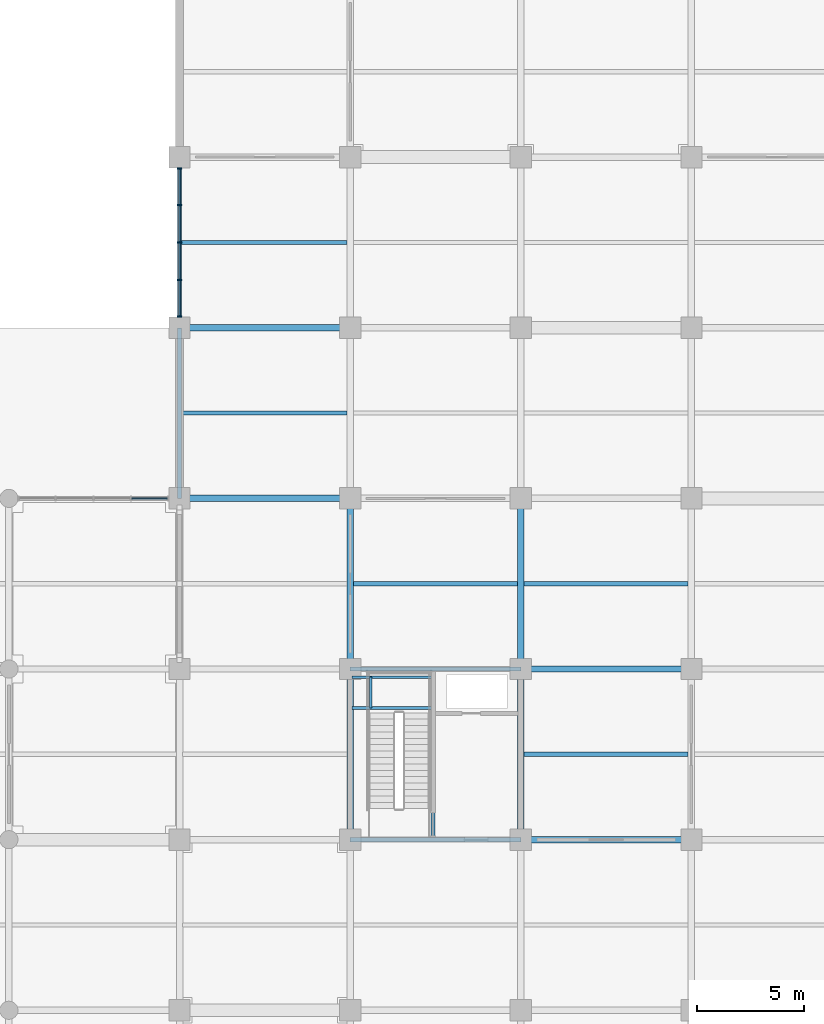
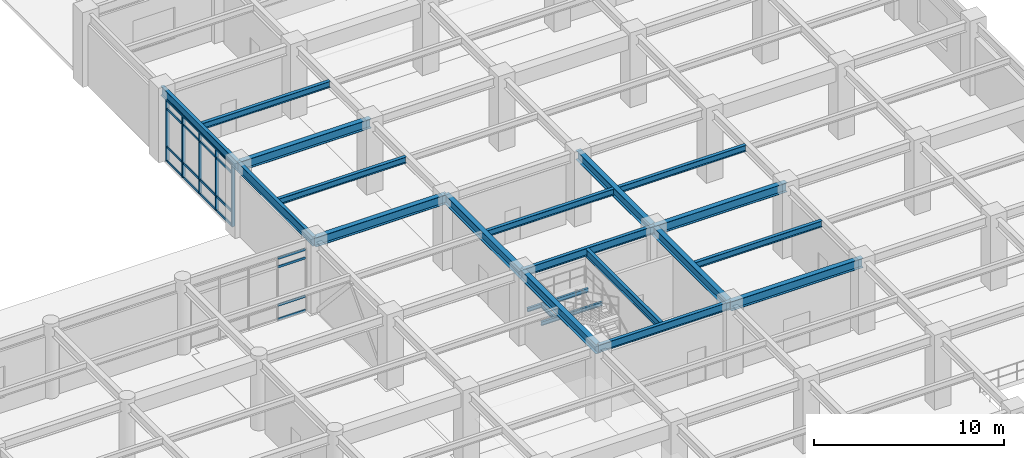
# One storey, part 42 of 117: 25 members, 21 beams, 2 elements without a shape of their own.
"""IFC4 building model written with IfcOpenShell, lengths in metres."""

from ifc_helpers import new_model, si_unit, direction, frame, origin, origin_2d, place, context, subcontext, project, spatial, rectangle, i_section, extrude, material, layer, layer_set, material_profile, profile_set, type_object, element, aggregate, save


model = new_model("IFC4")

# Units and contexts
model_context = context("Model", 3, precision=1e-05, world=origin(), true_north=direction((0.0, 1.0)))
body_context = subcontext(model_context, "Body", "Model", "MODEL_VIEW")
ifc_project = project(units=[si_unit("LENGTHUNIT", "METRE"), si_unit("AREAUNIT", "SQUARE_METRE"), si_unit("VOLUMEUNIT", "CUBIC_METRE"), si_unit("PLANEANGLEUNIT", "RADIAN"), si_unit("MASSUNIT", "GRAM", prefix="KILO")], contexts=[model_context])

# Site, building, storey
site_placement = place(None, origin())
site = spatial("IfcSite", under=ifc_project, at=site_placement, CompositionType="ELEMENT")
building_placement = place(site_placement, origin())
building = spatial("IfcBuilding", under=site, at=building_placement, Name="Haebicheon Civic Stadium", CompositionType="ELEMENT")
storey_placement = place(building_placement, frame((0.0, 0.0, 4.800048828125)))
storey = spatial("IfcBuildingStorey", under=building, at=storey_placement, Name="L02", CompositionType="ELEMENT", Elevation=4.800048828125)

# Beams
ifc_material_1 = material(Name="Steel SM355 (S355)", Category="steel")
ifc_material_profile_1 = material_profile(ifc_material_1, i_section(OverallWidth=0.199951171875, OverallDepth=0.5, WebThickness=0.010009765625, FlangeThickness=0.01611328125, at=origin_2d()), Name="H-500x200x10x16")
ifc_profile_set_1 = profile_set([ifc_material_profile_1], Name="Steel SM355 (S355)")
beam_type_1 = type_object("IfcBeamType", Name="BM-ST-H500", PredefinedType="BEAM", material=ifc_profile_set_1)
for number, where, z_axis, x_axis, name in (
    (1, (32.0, 128.0, 4.27001953125), (1.0, 0.0, 0.0), (0.0, 1.0, 0.0), "L02 beam S/5-6"),
    (2, (32.0, 136.0, 4.27001953125), (1.0, 0.0, 0.0), (0.0, 1.0, 0.0), "L02 beam T/5-6"),
):
    element("IfcBeam", number, at=place(storey_placement, frame(where, z_axis=z_axis, x_axis=x_axis)), inside=storey, type_object=beam_type_1, material=ifc_profile_set_1, Name=name, PredefinedType="BEAM", context=body_context, shape_type="SweptSolid", body=[
        extrude(i_section(OverallWidth=0.199951171875, OverallDepth=0.5, WebThickness=0.010009765625, FlangeThickness=0.01611328125, at=origin_2d()), origin(), (0.0, 0.0, 1.0), 8.0),
    ])
beam_1_placement = place(storey_placement, frame((35.8798828125, 128.10009765625, 4.27001953125), z_axis=(0.0, 1.0, 0.0), x_axis=(-1.0, 0.0, 0.0)))
element("IfcBeam", 3, at=beam_1_placement, inside=storey, type_object=beam_type_1, material=ifc_profile_set_1, Name="L02 KC-05 core dividing wall support beam", PredefinedType="BEAM", context=body_context, shape_type="SweptSolid", body=[
    extrude(i_section(OverallWidth=0.199951171875, OverallDepth=0.5, WebThickness=0.010009765625, FlangeThickness=0.01611328125, at=origin_2d()), origin(), (0.0, 0.0, 1.0), 7.7998046875),
])
ifc_material_2 = material(Name="Steel SM355 (S355)", Category="steel")
ifc_material_profile_2 = material_profile(ifc_material_2, i_section(OverallWidth=0.300048828125, OverallDepth=0.60009765625, WebThickness=0.011962890625, FlangeThickness=0.02001953125, at=origin_2d()), Name="H-600x300x12x20")
ifc_profile_set_2 = profile_set([ifc_material_profile_2], Name="Steel SM355 (S355)")
beam_type_2 = type_object("IfcBeamType", Name="BM-ST-H600A", PredefinedType="BEAM", material=ifc_profile_set_2)
for number, where, z_axis, x_axis, name in (
    (4, (32.0, 128.0, 4.219970703125), (0.0, 1.0, 0.0), (-1.0, 0.0, 0.0), "L02 girder 5/S-T"),
    (5, (32.0, 136.0, 4.219970703125), (0.0, 1.0, 0.0), (-1.0, 0.0, 0.0), "L02 girder 5/T-U"),
    (6, (40.0, 128.0, 4.219970703125), (0.0, 1.0, 0.0), (-1.0, 0.0, 0.0), "L02 girder 6/S-T"),
    (7, (40.0, 136.0, 4.219970703125), (0.0, 1.0, 0.0), (-1.0, 0.0, 0.0), "L02 girder 6/T-U"),
    (8, (24.0, 144.0, 4.219970703125), (1.0, 0.0, 0.0), (0.0, 1.0, 0.0), "L02 beam U/4-5"),
    (9, (24.0, 152.0, 4.219970703125), (1.0, 0.0, 0.0), (0.0, 1.0, 0.0), "L02 beam V/4-5"),
    (10, (40.0, 128.0, 4.219970703125), (1.0, 0.0, 0.0), (0.0, 1.0, 0.0), "L02 beam S/6-7"),
    (11, (40.0, 136.0, 4.219970703125), (1.0, 0.0, 0.0), (0.0, 1.0, 0.0), "L02 beam T/6-7"),
):
    element("IfcBeam", number, at=place(storey_placement, frame(where, z_axis=z_axis, x_axis=x_axis)), inside=storey, type_object=beam_type_2, material=ifc_profile_set_2, Name=name, PredefinedType="BEAM", context=body_context, shape_type="SweptSolid", body=[
        extrude(i_section(OverallWidth=0.300048828125, OverallDepth=0.60009765625, WebThickness=0.011962890625, FlangeThickness=0.02001953125, at=origin_2d()), origin(), (0.0, 0.0, 1.0), 8.0),
    ])

# Curtain wall, members
ifc_material_3 = material(Name="Anodised aluminium and laminated glass", Category="aluminium")
ifc_layer_1 = layer(ifc_material_3, 0.179931640625, Name="Anodised aluminium and laminated glass")
ifc_layer_set_1 = layer_set([ifc_layer_1], Name="Anodised aluminium and laminated glass")
curtain_wall_type_1 = type_object("IfcCurtainWallType", Name="CW-7000x3910", PredefinedType="NOTDEFINED", material=ifc_layer_set_1)
curtain_wall_1_placement = place(storey_placement, origin())
curtain_wall_1 = element("IfcCurtainWall", 12, at=curtain_wall_1_placement, inside=storey, type_object=curtain_wall_type_1, material=ifc_layer_set_1, Name="L02 unitised curtain wall 037", PredefinedType="NOTDEFINED")
ifc_material_4 = material(Name="Anodised aluminium 6063-T6", Category="aluminium")
ifc_material_profile_3 = material_profile(ifc_material_4, rectangle(XDim=0.070068359375, YDim=0.199951171875, at=origin_2d()), Name="ALU-MULL-70x200")
ifc_profile_set_3 = profile_set([ifc_material_profile_3], Name="Anodised aluminium 6063-T6")
member_type_1 = type_object("IfcMemberType", Name="CWM-200x70", PredefinedType="MULLION", material=ifc_profile_set_3)
member_1_placement = place(storey_placement, frame((24.0, 152.534912109375, 0.0), z_axis=(0.0, 0.0, 1.0), x_axis=(0.0, 1.0, 0.0)))
member_1 = element("IfcMember", 13, at=member_1_placement, type_object=member_type_1, material=ifc_profile_set_3, Name="CW-L02-037 vertical mullion 1", PredefinedType="MULLION", context=body_context, shape_type="SweptSolid", body=[
    extrude(rectangle(XDim=0.070068359375, YDim=0.199951171875, at=origin_2d()), origin(), (0.0, 0.0, 1.0), 3.909912109375),
])
member_2_placement = place(storey_placement, frame((24.0, 154.25, 0.0), z_axis=(0.0, 0.0, 1.0), x_axis=(0.0, 1.0, 0.0)))
member_2 = element("IfcMember", 14, at=member_2_placement, type_object=member_type_1, material=ifc_profile_set_3, Name="CW-L02-037 vertical mullion 2", PredefinedType="MULLION", context=body_context, shape_type="SweptSolid", body=[
    extrude(rectangle(XDim=0.070068359375, YDim=0.199951171875, at=origin_2d()), origin(), (0.0, 0.0, 1.0), 3.909912109375),
])
member_3_placement = place(storey_placement, frame((24.0, 156.0, 0.0), z_axis=(0.0, 0.0, 1.0), x_axis=(0.0, 1.0, 0.0)))
member_3 = element("IfcMember", 15, at=member_3_placement, type_object=member_type_1, material=ifc_profile_set_3, Name="CW-L02-037 vertical mullion 3", PredefinedType="MULLION", context=body_context, shape_type="SweptSolid", body=[
    extrude(rectangle(XDim=0.070068359375, YDim=0.199951171875, at=origin_2d()), origin(), (0.0, 0.0, 1.0), 3.909912109375),
])
member_4_placement = place(storey_placement, frame((24.0, 157.75, 0.0), z_axis=(0.0, 0.0, 1.0), x_axis=(0.0, 1.0, 0.0)))
member_4 = element("IfcMember", 16, at=member_4_placement, type_object=member_type_1, material=ifc_profile_set_3, Name="CW-L02-037 vertical mullion 4", PredefinedType="MULLION", context=body_context, shape_type="SweptSolid", body=[
    extrude(rectangle(XDim=0.070068359375, YDim=0.199951171875, at=origin_2d()), origin(), (0.0, 0.0, 1.0), 3.909912109375),
])
member_5_placement = place(storey_placement, frame((24.0, 159.465087890625, 0.0), z_axis=(0.0, 0.0, 1.0), x_axis=(0.0, 1.0, 0.0)))
member_5 = element("IfcMember", 17, at=member_5_placement, type_object=member_type_1, material=ifc_profile_set_3, Name="CW-L02-037 vertical mullion 5", PredefinedType="MULLION", context=body_context, shape_type="SweptSolid", body=[
    extrude(rectangle(XDim=0.070068359375, YDim=0.199951171875, at=origin_2d()), origin(), (0.0, 0.0, 1.0), 3.909912109375),
])

ifc_material_5 = material(Name="Anodised aluminium and laminated glass", Category="aluminium")
ifc_layer_2 = layer(ifc_material_5, 0.179931640625, Name="Anodised aluminium and laminated glass")
ifc_layer_set_2 = layer_set([ifc_layer_2], Name="Anodised aluminium and laminated glass")
curtain_wall_type_2 = type_object("IfcCurtainWallType", Name="CW-7075x3910", PredefinedType="NOTDEFINED", material=ifc_layer_set_2)
curtain_wall_2_placement = place(storey_placement, origin())
curtain_wall_2 = element("IfcCurtainWall", 18, at=curtain_wall_2_placement, inside=storey, type_object=curtain_wall_type_2, material=ifc_layer_set_2, Name="L02 unitised curtain wall 034", PredefinedType="NOTDEFINED")
ifc_material_6 = material(Name="Anodised aluminium 6063-T6", Category="aluminium")
ifc_material_profile_4 = material_profile(ifc_material_6, rectangle(XDim=0.070068359375, YDim=0.14990234375, at=origin_2d()), Name="ALU-TRAN-70x150")
ifc_profile_set_4 = profile_set([ifc_material_profile_4], Name="Anodised aluminium 6063-T6")
member_type_2 = type_object("IfcMemberType", Name="CWT-150x70", PredefinedType="NOTDEFINED", material=ifc_profile_set_4)
member_6_placement = place(storey_placement, frame((21.76611328125, 144.0, 0.0), z_axis=(1.0, 0.0, 0.0), x_axis=(0.0, 1.0, 0.0)))
member_6 = element("IfcMember", 19, at=member_6_placement, type_object=member_type_2, material=ifc_profile_set_4, Name="CW-L02-034 horizontal transom 4.1", ObjectType="TRANSOM", PredefinedType="USERDEFINED", context=body_context, shape_type="SweptSolid", body=[
    extrude(rectangle(XDim=0.070068359375, YDim=0.14990234375, at=origin_2d()), origin(), (0.0, 0.0, 1.0), 1.663818359375),
])
member_7_placement = place(storey_placement, frame((21.76611328125, 144.0, 0.89990234375), z_axis=(1.0, 0.0, 0.0), x_axis=(0.0, 1.0, 0.0)))
member_7 = element("IfcMember", 20, at=member_7_placement, type_object=member_type_2, material=ifc_profile_set_4, Name="CW-L02-034 horizontal transom 4.2", ObjectType="TRANSOM", PredefinedType="USERDEFINED", context=body_context, shape_type="SweptSolid", body=[
    extrude(rectangle(XDim=0.070068359375, YDim=0.14990234375, at=origin_2d()), origin(), (0.0, 0.0, 1.0), 1.663818359375),
])
member_8_placement = place(storey_placement, frame((21.76611328125, 144.0, 3.35986328125), z_axis=(1.0, 0.0, 0.0), x_axis=(0.0, 1.0, 0.0)))
member_8 = element("IfcMember", 21, at=member_8_placement, type_object=member_type_2, material=ifc_profile_set_4, Name="CW-L02-034 horizontal transom 4.3", ObjectType="TRANSOM", PredefinedType="USERDEFINED", context=body_context, shape_type="SweptSolid", body=[
    extrude(rectangle(XDim=0.070068359375, YDim=0.14990234375, at=origin_2d()), origin(), (0.0, 0.0, 1.0), 1.663818359375),
])
member_9_placement = place(storey_placement, frame((21.76611328125, 144.0, 3.909912109375), z_axis=(1.0, 0.0, 0.0), x_axis=(0.0, 1.0, 0.0)))
member_9 = element("IfcMember", 22, at=member_9_placement, type_object=member_type_2, material=ifc_profile_set_4, Name="CW-L02-034 horizontal transom 4.4", ObjectType="TRANSOM", PredefinedType="USERDEFINED", context=body_context, shape_type="SweptSolid", body=[
    extrude(rectangle(XDim=0.070068359375, YDim=0.14990234375, at=origin_2d()), origin(), (0.0, 0.0, 1.0), 1.663818359375),
])
aggregate(curtain_wall_2, [member_6, member_7, member_8, member_9])

# Member
member_10_placement = place(storey_placement, frame((24.0, 152.570068359375, 0.0), z_axis=(0.0, 1.0, 0.0), x_axis=(-1.0, 0.0, 0.0)))
member_10 = element("IfcMember", 23, at=member_10_placement, type_object=member_type_2, material=ifc_profile_set_4, Name="CW-L02-037 horizontal transom 1.1", ObjectType="TRANSOM", PredefinedType="USERDEFINED", context=body_context, shape_type="SweptSolid", body=[
    extrude(rectangle(XDim=0.070068359375, YDim=0.14990234375, at=origin_2d()), origin(), (0.0, 0.0, 1.0), 1.64501953125),
])

member_11_placement = place(storey_placement, frame((24.0, 152.570068359375, 0.89990234375), z_axis=(0.0, 1.0, 0.0), x_axis=(-1.0, 0.0, 0.0)))
member_11 = element("IfcMember", 24, at=member_11_placement, type_object=member_type_2, material=ifc_profile_set_4, Name="CW-L02-037 horizontal transom 1.2", ObjectType="TRANSOM", PredefinedType="USERDEFINED", context=body_context, shape_type="SweptSolid", body=[
    extrude(rectangle(XDim=0.070068359375, YDim=0.14990234375, at=origin_2d()), origin(), (0.0, 0.0, 1.0), 1.64501953125),
])

member_12_placement = place(storey_placement, frame((24.0, 152.570068359375, 3.35986328125), z_axis=(0.0, 1.0, 0.0), x_axis=(-1.0, 0.0, 0.0)))
member_12 = element("IfcMember", 25, at=member_12_placement, type_object=member_type_2, material=ifc_profile_set_4, Name="CW-L02-037 horizontal transom 1.3", ObjectType="TRANSOM", PredefinedType="USERDEFINED", context=body_context, shape_type="SweptSolid", body=[
    extrude(rectangle(XDim=0.070068359375, YDim=0.14990234375, at=origin_2d()), origin(), (0.0, 0.0, 1.0), 1.64501953125),
])

member_13_placement = place(storey_placement, frame((24.0, 152.570068359375, 3.909912109375), z_axis=(0.0, 1.0, 0.0), x_axis=(-1.0, 0.0, 0.0)))
member_13 = element("IfcMember", 26, at=member_13_placement, type_object=member_type_2, material=ifc_profile_set_4, Name="CW-L02-037 horizontal transom 1.4", ObjectType="TRANSOM", PredefinedType="USERDEFINED", context=body_context, shape_type="SweptSolid", body=[
    extrude(rectangle(XDim=0.070068359375, YDim=0.14990234375, at=origin_2d()), origin(), (0.0, 0.0, 1.0), 1.64501953125),
])

member_14_placement = place(storey_placement, frame((24.0, 154.284912109375, 0.0), z_axis=(0.0, 1.0, 0.0), x_axis=(-1.0, 0.0, 0.0)))
member_14 = element("IfcMember", 27, at=member_14_placement, type_object=member_type_2, material=ifc_profile_set_4, Name="CW-L02-037 horizontal transom 2.1", ObjectType="TRANSOM", PredefinedType="USERDEFINED", context=body_context, shape_type="SweptSolid", body=[
    extrude(rectangle(XDim=0.070068359375, YDim=0.14990234375, at=origin_2d()), origin(), (0.0, 0.0, 1.0), 1.68017578125),
])

member_15_placement = place(storey_placement, frame((24.0, 154.284912109375, 0.89990234375), z_axis=(0.0, 1.0, 0.0), x_axis=(-1.0, 0.0, 0.0)))
member_15 = element("IfcMember", 28, at=member_15_placement, type_object=member_type_2, material=ifc_profile_set_4, Name="CW-L02-037 horizontal transom 2.2", ObjectType="TRANSOM", PredefinedType="USERDEFINED", context=body_context, shape_type="SweptSolid", body=[
    extrude(rectangle(XDim=0.070068359375, YDim=0.14990234375, at=origin_2d()), origin(), (0.0, 0.0, 1.0), 1.68017578125),
])

member_16_placement = place(storey_placement, frame((24.0, 154.284912109375, 3.35986328125), z_axis=(0.0, 1.0, 0.0), x_axis=(-1.0, 0.0, 0.0)))
member_16 = element("IfcMember", 29, at=member_16_placement, type_object=member_type_2, material=ifc_profile_set_4, Name="CW-L02-037 horizontal transom 2.3", ObjectType="TRANSOM", PredefinedType="USERDEFINED", context=body_context, shape_type="SweptSolid", body=[
    extrude(rectangle(XDim=0.070068359375, YDim=0.14990234375, at=origin_2d()), origin(), (0.0, 0.0, 1.0), 1.68017578125),
])

member_17_placement = place(storey_placement, frame((24.0, 154.284912109375, 3.909912109375), z_axis=(0.0, 1.0, 0.0), x_axis=(-1.0, 0.0, 0.0)))
member_17 = element("IfcMember", 30, at=member_17_placement, type_object=member_type_2, material=ifc_profile_set_4, Name="CW-L02-037 horizontal transom 2.4", ObjectType="TRANSOM", PredefinedType="USERDEFINED", context=body_context, shape_type="SweptSolid", body=[
    extrude(rectangle(XDim=0.070068359375, YDim=0.14990234375, at=origin_2d()), origin(), (0.0, 0.0, 1.0), 1.68017578125),
])

member_18_placement = place(storey_placement, frame((24.0, 156.034912109375, 0.0), z_axis=(0.0, 1.0, 0.0), x_axis=(-1.0, 0.0, 0.0)))
member_18 = element("IfcMember", 31, at=member_18_placement, type_object=member_type_2, material=ifc_profile_set_4, Name="CW-L02-037 horizontal transom 3.1", ObjectType="TRANSOM", PredefinedType="USERDEFINED", context=body_context, shape_type="SweptSolid", body=[
    extrude(rectangle(XDim=0.070068359375, YDim=0.14990234375, at=origin_2d()), origin(), (0.0, 0.0, 1.0), 1.68017578125),
])

member_19_placement = place(storey_placement, frame((24.0, 156.034912109375, 0.89990234375), z_axis=(0.0, 1.0, 0.0), x_axis=(-1.0, 0.0, 0.0)))
member_19 = element("IfcMember", 32, at=member_19_placement, type_object=member_type_2, material=ifc_profile_set_4, Name="CW-L02-037 horizontal transom 3.2", ObjectType="TRANSOM", PredefinedType="USERDEFINED", context=body_context, shape_type="SweptSolid", body=[
    extrude(rectangle(XDim=0.070068359375, YDim=0.14990234375, at=origin_2d()), origin(), (0.0, 0.0, 1.0), 1.68017578125),
])

member_20_placement = place(storey_placement, frame((24.0, 156.034912109375, 3.35986328125), z_axis=(0.0, 1.0, 0.0), x_axis=(-1.0, 0.0, 0.0)))
member_20 = element("IfcMember", 33, at=member_20_placement, type_object=member_type_2, material=ifc_profile_set_4, Name="CW-L02-037 horizontal transom 3.3", ObjectType="TRANSOM", PredefinedType="USERDEFINED", context=body_context, shape_type="SweptSolid", body=[
    extrude(rectangle(XDim=0.070068359375, YDim=0.14990234375, at=origin_2d()), origin(), (0.0, 0.0, 1.0), 1.68017578125),
])

member_21_placement = place(storey_placement, frame((24.0, 156.034912109375, 3.909912109375), z_axis=(0.0, 1.0, 0.0), x_axis=(-1.0, 0.0, 0.0)))
member_21 = element("IfcMember", 34, at=member_21_placement, type_object=member_type_2, material=ifc_profile_set_4, Name="CW-L02-037 horizontal transom 3.4", ObjectType="TRANSOM", PredefinedType="USERDEFINED", context=body_context, shape_type="SweptSolid", body=[
    extrude(rectangle(XDim=0.070068359375, YDim=0.14990234375, at=origin_2d()), origin(), (0.0, 0.0, 1.0), 1.68017578125),
])

member_22_placement = place(storey_placement, frame((24.0, 157.784912109375, 0.0), z_axis=(0.0, 1.0, 0.0), x_axis=(-1.0, 0.0, 0.0)))
member_22 = element("IfcMember", 35, at=member_22_placement, type_object=member_type_2, material=ifc_profile_set_4, Name="CW-L02-037 horizontal transom 4.1", ObjectType="TRANSOM", PredefinedType="USERDEFINED", context=body_context, shape_type="SweptSolid", body=[
    extrude(rectangle(XDim=0.070068359375, YDim=0.14990234375, at=origin_2d()), origin(), (0.0, 0.0, 1.0), 1.64501953125),
])

member_23_placement = place(storey_placement, frame((24.0, 157.784912109375, 0.89990234375), z_axis=(0.0, 1.0, 0.0), x_axis=(-1.0, 0.0, 0.0)))
member_23 = element("IfcMember", 36, at=member_23_placement, type_object=member_type_2, material=ifc_profile_set_4, Name="CW-L02-037 horizontal transom 4.2", ObjectType="TRANSOM", PredefinedType="USERDEFINED", context=body_context, shape_type="SweptSolid", body=[
    extrude(rectangle(XDim=0.070068359375, YDim=0.14990234375, at=origin_2d()), origin(), (0.0, 0.0, 1.0), 1.64501953125),
])

member_24_placement = place(storey_placement, frame((24.0, 157.784912109375, 3.35986328125), z_axis=(0.0, 1.0, 0.0), x_axis=(-1.0, 0.0, 0.0)))
member_24 = element("IfcMember", 37, at=member_24_placement, type_object=member_type_2, material=ifc_profile_set_4, Name="CW-L02-037 horizontal transom 4.3", ObjectType="TRANSOM", PredefinedType="USERDEFINED", context=body_context, shape_type="SweptSolid", body=[
    extrude(rectangle(XDim=0.070068359375, YDim=0.14990234375, at=origin_2d()), origin(), (0.0, 0.0, 1.0), 1.64501953125),
])

member_25_placement = place(storey_placement, frame((24.0, 157.784912109375, 3.909912109375), z_axis=(0.0, 1.0, 0.0), x_axis=(-1.0, 0.0, 0.0)))
member_25 = element("IfcMember", 38, at=member_25_placement, type_object=member_type_2, material=ifc_profile_set_4, Name="CW-L02-037 horizontal transom 4.4", ObjectType="TRANSOM", PredefinedType="USERDEFINED", context=body_context, shape_type="SweptSolid", body=[
    extrude(rectangle(XDim=0.070068359375, YDim=0.14990234375, at=origin_2d()), origin(), (0.0, 0.0, 1.0), 1.64501953125),
])

aggregate(curtain_wall_1, [member_1, member_2, member_3, member_4, member_5, member_10, member_11, member_12, member_13, member_14, member_15, member_16, member_17, member_18, member_19, member_20, member_21, member_22, member_23, member_24, member_25])

# Beams
ifc_material_7 = material(Name="Steel SM355 (S355)", Category="steel")
ifc_material_profile_5 = material_profile(ifc_material_7, i_section(OverallWidth=0.125, OverallDepth=0.25, WebThickness=0.006103515625, FlangeThickness=0.009033203125, at=origin_2d()), Name="H-250x125x6x9")
ifc_profile_set_5 = profile_set([ifc_material_profile_5], Name="Steel SM355 (S355)")
beam_type_3 = type_object("IfcBeamType", Name="JST-ST-H250", PredefinedType="JOIST", material=ifc_profile_set_5)
for number, where, z_axis, x_axis, name in (
    (39, (32.080078125, 134.169921875, 2.072021484375), (1.0, 0.0, 0.0), (0.0, 1.0, 0.0), "KC-05 L02 stair half-landing front trimmer beam"),
    (40, (32.080078125, 135.6201171875, 2.072021484375), (1.0, 0.0, 0.0), (0.0, 1.0, 0.0), "KC-05 L02 stair half-landing rear trimmer beam"),
):
    element("IfcBeam", number, at=place(storey_placement, frame(where, z_axis=z_axis, x_axis=x_axis)), inside=storey, type_object=beam_type_3, material=ifc_profile_set_5, Name=name, PredefinedType="JOIST", context=body_context, shape_type="SweptSolid", body=[
        extrude(i_section(OverallWidth=0.125, OverallDepth=0.25, WebThickness=0.006103515625, FlangeThickness=0.009033203125, at=origin_2d()), origin(), (0.0, 0.0, 1.0), 3.719970703125),
    ])
beam_2_placement = place(storey_placement, frame((32.9599609375, 134.169921875, 2.072021484375), z_axis=(0.0, 1.0, 0.0), x_axis=(-1.0, 0.0, 0.0)))
element("IfcBeam", 41, at=beam_2_placement, inside=storey, type_object=beam_type_3, material=ifc_profile_set_5, Name="KC-05 L02 stair half-landing transverse tie beam", PredefinedType="JOIST", context=body_context, shape_type="SweptSolid", body=[
    extrude(i_section(OverallWidth=0.125, OverallDepth=0.25, WebThickness=0.006103515625, FlangeThickness=0.009033203125, at=origin_2d()), origin(), (0.0, 0.0, 1.0), 1.4501953125),
])
ifc_material_8 = material(Name="Steel SM355 (S355)", Category="steel")
ifc_material_profile_6 = material_profile(ifc_material_8, i_section(OverallWidth=0.199951171875, OverallDepth=0.39990234375, WebThickness=0.008056640625, FlangeThickness=0.012939453125, at=origin_2d()), Name="H-400x200x8x13")
ifc_profile_set_6 = profile_set([ifc_material_profile_6], Name="Steel SM355 (S355)")
beam_type_4 = type_object("IfcBeamType", Name="JST-ST-H400", PredefinedType="JOIST", material=ifc_profile_set_6)
for number, where, z_axis, x_axis, name in (
    (42, (24.10009765625, 148.0, 4.320068359375), (1.0, 0.0, 0.0), (0.0, 1.0, 0.0), "L02 secondary joist 03-18"),
    (43, (24.10009765625, 156.0, 4.320068359375), (1.0, 0.0, 0.0), (0.0, 1.0, 0.0), "L02 secondary joist 03-19"),
):
    element("IfcBeam", number, at=place(storey_placement, frame(where, z_axis=z_axis, x_axis=x_axis)), inside=storey, type_object=beam_type_4, material=ifc_profile_set_6, Name=name, PredefinedType="JOIST", context=body_context, shape_type="SweptSolid", body=[
        extrude(i_section(OverallWidth=0.199951171875, OverallDepth=0.39990234375, WebThickness=0.008056640625, FlangeThickness=0.012939453125, at=origin_2d()), origin(), (0.0, 0.0, 1.0), 7.75),
    ])
for number, where, z_axis, x_axis, name in (
    (44, (32.14990234375, 140.0, 4.320068359375), (1.0, 0.0, 0.0), (0.0, 1.0, 0.0), "L02 secondary joist 04-17"),
    (45, (40.14990234375, 132.0, 4.320068359375), (1.0, 0.0, 0.0), (0.0, 1.0, 0.0), "L02 secondary joist 05-16"),
    (46, (40.14990234375, 140.0, 4.320068359375), (1.0, 0.0, 0.0), (0.0, 1.0, 0.0), "L02 secondary joist 05-17"),
):
    element("IfcBeam", number, at=place(storey_placement, frame(where, z_axis=z_axis, x_axis=x_axis)), inside=storey, type_object=beam_type_4, material=ifc_profile_set_6, Name=name, PredefinedType="JOIST", context=body_context, shape_type="SweptSolid", body=[
        extrude(i_section(OverallWidth=0.199951171875, OverallDepth=0.39990234375, WebThickness=0.008056640625, FlangeThickness=0.012939453125, at=origin_2d()), origin(), (0.0, 0.0, 1.0), 7.7001953125),
    ])
ifc_material_9 = material(Name="Steel SM355 (S355)", Category="steel")
ifc_material_profile_7 = material_profile(ifc_material_9, i_section(OverallWidth=0.199951171875, OverallDepth=0.60009765625, WebThickness=0.010986328125, FlangeThickness=0.01708984375, at=origin_2d()), Name="H-600x200x11x17")
ifc_profile_set_7 = profile_set([ifc_material_profile_7], Name="Steel SM355 (S355)")
beam_type_5 = type_object("IfcBeamType", Name="SPD-ST-H600B", PredefinedType="SPANDREL", material=ifc_profile_set_7)
for number, where, z_axis, x_axis, name in (
    (47, (24.0, 144.0, 4.219970703125), (0.0, 1.0, 0.0), (-1.0, 0.0, 0.0), "L02 girder 4/U-V"),
    (48, (24.0, 152.0, 4.219970703125), (0.0, 1.0, 0.0), (-1.0, 0.0, 0.0), "L02 girder 4/V-W"),
):
    element("IfcBeam", number, at=place(storey_placement, frame(where, z_axis=z_axis, x_axis=x_axis)), inside=storey, type_object=beam_type_5, material=ifc_profile_set_7, Name=name, PredefinedType="SPANDREL", context=body_context, shape_type="SweptSolid", body=[
        extrude(i_section(OverallWidth=0.199951171875, OverallDepth=0.60009765625, WebThickness=0.010986328125, FlangeThickness=0.01708984375, at=origin_2d()), origin(), (0.0, 0.0, 1.0), 8.0),
    ])

save(model, "model.ifc")
